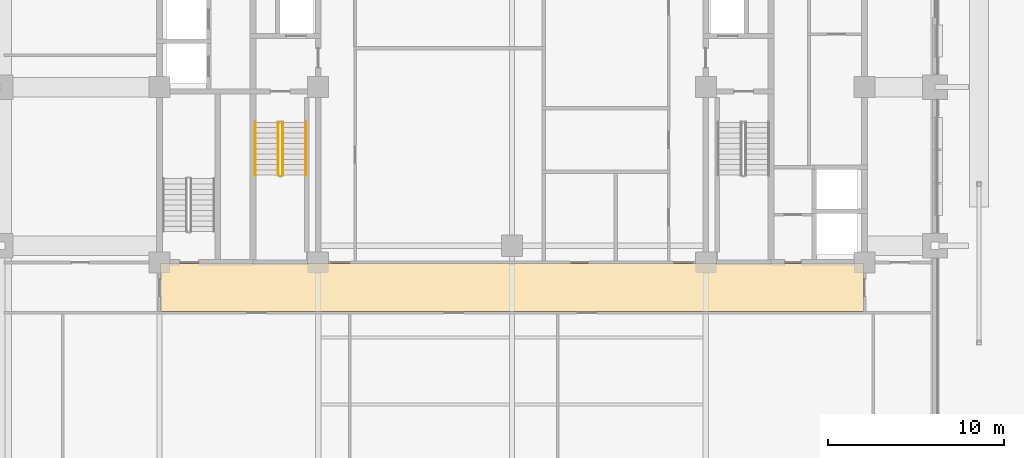
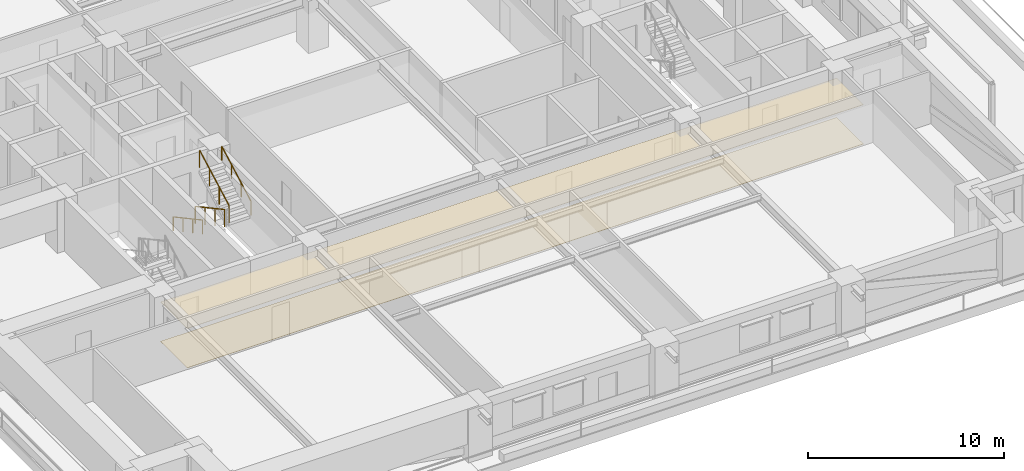
# One storey, part 14 of 18: 4 railings, 2 coverings.
"""IFC4 building model written with IfcOpenShell, lengths in metres."""

from ifc_helpers import new_model, si_unit, direction, frame, origin, origin_2d, place, context, subcontext, project, spatial, polyline, rectangle, outline, extrude, material, layer, layer_set, type_object, element, save


model = new_model("IFC4")

# Units and contexts
model_context = context("Model", 3, precision=1e-05, world=origin(), true_north=direction((0.0, 1.0)))
body_context = subcontext(model_context, "Body", "Model", "MODEL_VIEW")
ifc_project = project(units=[si_unit("LENGTHUNIT", "METRE"), si_unit("AREAUNIT", "SQUARE_METRE"), si_unit("VOLUMEUNIT", "CUBIC_METRE"), si_unit("PLANEANGLEUNIT", "RADIAN"), si_unit("MASSUNIT", "GRAM", prefix="KILO")], contexts=[model_context])

# Site, building, storey
site_placement = place(None, origin())
site = spatial("IfcSite", under=ifc_project, at=site_placement, CompositionType="ELEMENT")
building_placement = place(site_placement, origin())
building = spatial("IfcBuilding", under=site, at=building_placement, Name="Zulmaris Gate Convention Tower", CompositionType="ELEMENT")
storey_placement = place(building_placement, frame((0.0, 0.0, 57.18994140625)))
storey = spatial("IfcBuildingStorey", under=building, at=storey_placement, Name="L13", CompositionType="ELEMENT", Elevation=57.18994140625)

# Coverings
ifc_material_1 = material(Name="Mineral Fibre Acoustic Ceiling Tile")
ifc_layer_1 = layer(ifc_material_1, 0.02001953125, Name="Mineral Fibre Acoustic Ceiling Tile")
ifc_layer_set_1 = layer_set([ifc_layer_1], Name="Mineral Fibre Acoustic Ceiling Tile")
covering_type_1 = type_object("IfcCoveringType", Name="CLG-ACOUSTIC-600", PredefinedType="CEILING", material=ifc_layer_set_1)
covering_1_placement = place(storey_placement, frame((0.0, 0.0, 2.453125)))
element("IfcCovering", 1, at=covering_1_placement, inside=storey, type_object=covering_type_1, Name="CLG-L13-R35", PredefinedType="CEILING", context=body_context, shape_type="SweptSolid", body=[
    extrude(outline(polyline([(-19.93994140625, -12.739990234375), (19.93994140625, -12.739990234375), (19.93994140625, -10.010009765625), (-19.93994140625, -10.010009765625), (-19.93994140625, -12.739990234375)])), origin(), (0.0, 0.0, 1.0), 0.02001953125),
])
ifc_material_2 = material(Name="Woven Acoustic Wool Carpet Tile")
ifc_layer_2 = layer(ifc_material_2, 0.02001953125, Name="Woven Acoustic Wool Carpet Tile")
ifc_layer_set_2 = layer_set([ifc_layer_2], Name="Woven Acoustic Wool Carpet Tile")
covering_type_2 = type_object("IfcCoveringType", Name="FLR-CARPET-12", PredefinedType="FLOORING", material=ifc_layer_set_2)
covering_2_placement = place(storey_placement, origin())
element("IfcCovering", 2, at=covering_2_placement, inside=storey, type_object=covering_type_2, Name="FLR-L13-R35", PredefinedType="FLOORING", context=body_context, shape_type="SweptSolid", body=[
    extrude(outline(polyline([(-19.93994140625, -12.739990234375), (19.93994140625, -12.739990234375), (19.93994140625, -10.010009765625), (-19.93994140625, -10.010009765625), (-19.93994140625, -12.739990234375)])), origin(), (0.0, 0.0, 1.0), 0.02001953125),
])

# Railings
ifc_material_3 = material(Name="Painted Galvanised Steel", Category="steel")
railing_type_1 = type_object("IfcRailingType", Name="RL-STG-1150", PredefinedType="GUARDRAIL", material=ifc_material_3)
railing_1_placement = place(storey_placement, frame((-13.27001953125, -2.0, 0.162353515625)))
element("IfcRailing", 3, at=railing_1_placement, inside=storey, type_object=railing_type_1, Name="L13 ST-1 stair guard 1", PredefinedType="GUARDRAIL", context=body_context, shape_type="SweptSolid", body=[
    extrude(rectangle(XDim=0.048095703125, YDim=0.048095703125, at=origin_2d()), frame((0.0, 0.0, 1.076171875), z_axis=(0.0, -0.879591569277, 0.475729619907), x_axis=(1.0, 0.0, 0.0)), (0.0, 0.0, 1.0), 3.41064453125),
    extrude(rectangle(XDim=0.0419921875, YDim=0.0419921875, at=origin_2d()), origin(), (0.0, 0.0, 1.0), 1.052001953125),
    extrude(rectangle(XDim=0.0419921875, YDim=0.0419921875, at=origin_2d()), frame((0.0, -1.0, 0.540771484375)), (0.0, 0.0, 1.0), 1.052001953125),
    extrude(rectangle(XDim=0.0419921875, YDim=0.0419921875, at=origin_2d()), frame((0.0, -2.0, 1.081787109375)), (0.0, 0.0, 1.0), 1.052001953125),
    extrude(rectangle(XDim=0.0419921875, YDim=0.0419921875, at=origin_2d()), frame((0.0, -3.0, 1.62255859375)), (0.0, 0.0, 1.0), 1.052001953125),
])
railing_2_placement = place(storey_placement, frame((-13.010009765625, -5.0, 1.947265625)))
element("IfcRailing", 4, at=railing_2_placement, inside=storey, type_object=railing_type_1, Name="L13 ST-1 stair guard 3", PredefinedType="GUARDRAIL", context=body_context, shape_type="SweptSolid", body=[
    extrude(rectangle(XDim=0.048095703125, YDim=0.048095703125, at=origin_2d()), frame((0.0, 0.0, 1.076171875), z_axis=(0.0, 0.8795616155, 0.475784998228), x_axis=(-1.0, 0.0, 0.0)), (0.0, 0.0, 1.0), 3.410888671875),
    extrude(rectangle(XDim=0.0419921875, YDim=0.0419921875, at=origin_2d()), origin(), (0.0, 0.0, 1.0), 1.052001953125),
    extrude(rectangle(XDim=0.0419921875, YDim=0.0419921875, at=origin_2d()), frame((0.0, 1.0, 0.541015625)), (0.0, 0.0, 1.0), 1.052001953125),
    extrude(rectangle(XDim=0.0419921875, YDim=0.0419921875, at=origin_2d()), frame((0.0, 2.0, 1.081787109375)), (0.0, 0.0, 1.0), 1.052001953125),
    extrude(rectangle(XDim=0.0419921875, YDim=0.0419921875, at=origin_2d()), frame((0.0, 3.0, 1.622802734375)), (0.0, 0.0, 1.0), 1.052001953125),
])
ifc_material_4 = material(Name="Brushed Stainless Steel", Category="steel")
railing_type_2 = type_object("IfcRailingType", Name="RL-STH-900", PredefinedType="HANDRAIL", material=ifc_material_4)
railing_3_placement = place(storey_placement, frame((-14.570068359375, -2.0, 0.162353515625)))
element("IfcRailing", 5, at=railing_3_placement, inside=storey, type_object=railing_type_2, Name="L13 ST-1 stair handrail 1", PredefinedType="HANDRAIL", context=body_context, shape_type="SweptSolid", body=[
    extrude(rectangle(XDim=0.048095703125, YDim=0.048095703125, at=origin_2d()), frame((0.0, 0.0, 0.8759765625), z_axis=(0.0, -0.879591569277, 0.475729619907), x_axis=(1.0, 0.0, 0.0)), (0.0, 0.0, 1.0), 3.41064453125),
    extrude(rectangle(XDim=0.0419921875, YDim=0.0419921875, at=origin_2d()), origin(), (0.0, 0.0, 1.0), 0.851806640625),
    extrude(rectangle(XDim=0.0419921875, YDim=0.0419921875, at=origin_2d()), frame((0.0, -1.0, 0.540771484375)), (0.0, 0.0, 1.0), 0.851806640625),
    extrude(rectangle(XDim=0.0419921875, YDim=0.0419921875, at=origin_2d()), frame((0.0, -2.0, 1.081787109375)), (0.0, 0.0, 1.0), 0.851806640625),
    extrude(rectangle(XDim=0.0419921875, YDim=0.0419921875, at=origin_2d()), frame((0.0, -3.0, 1.62255859375)), (0.0, 0.0, 1.0), 0.851806640625),
])
railing_4_placement = place(storey_placement, frame((-11.7099609375, -5.0, 1.947265625)))
element("IfcRailing", 6, at=railing_4_placement, inside=storey, type_object=railing_type_2, Name="L13 ST-1 stair handrail 2", PredefinedType="HANDRAIL", context=body_context, shape_type="SweptSolid", body=[
    extrude(rectangle(XDim=0.048095703125, YDim=0.048095703125, at=origin_2d()), frame((0.0, 0.0, 0.8759765625), z_axis=(0.0, 0.8795616155, 0.475784998228), x_axis=(-1.0, 0.0, 0.0)), (0.0, 0.0, 1.0), 3.410888671875),
    extrude(rectangle(XDim=0.0419921875, YDim=0.0419921875, at=origin_2d()), origin(), (0.0, 0.0, 1.0), 0.851806640625),
    extrude(rectangle(XDim=0.0419921875, YDim=0.0419921875, at=origin_2d()), frame((0.0, 1.0, 0.541015625)), (0.0, 0.0, 1.0), 0.851806640625),
    extrude(rectangle(XDim=0.0419921875, YDim=0.0419921875, at=origin_2d()), frame((0.0, 2.0, 1.081787109375)), (0.0, 0.0, 1.0), 0.851806640625),
    extrude(rectangle(XDim=0.0419921875, YDim=0.0419921875, at=origin_2d()), frame((0.0, 3.0, 1.622802734375)), (0.0, 0.0, 1.0), 0.851806640625),
])

save(model, "model.ifc")
